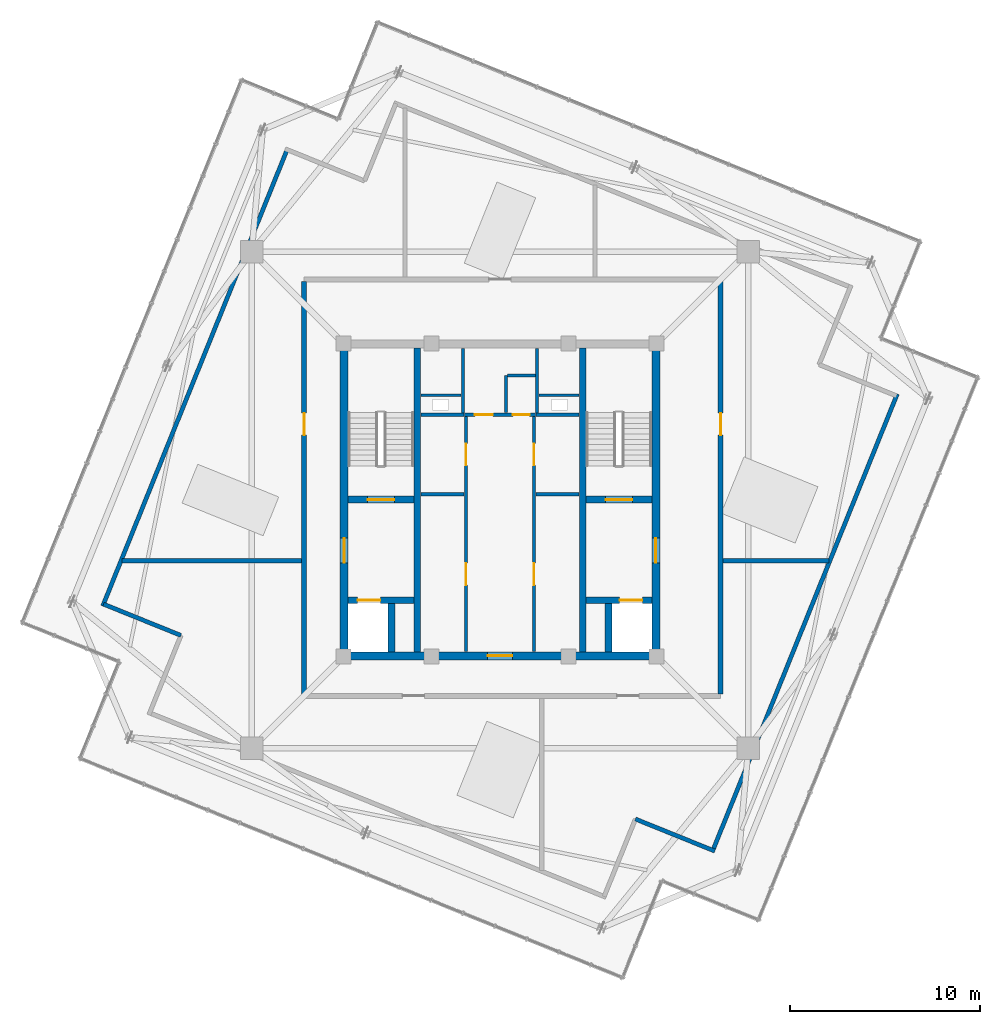
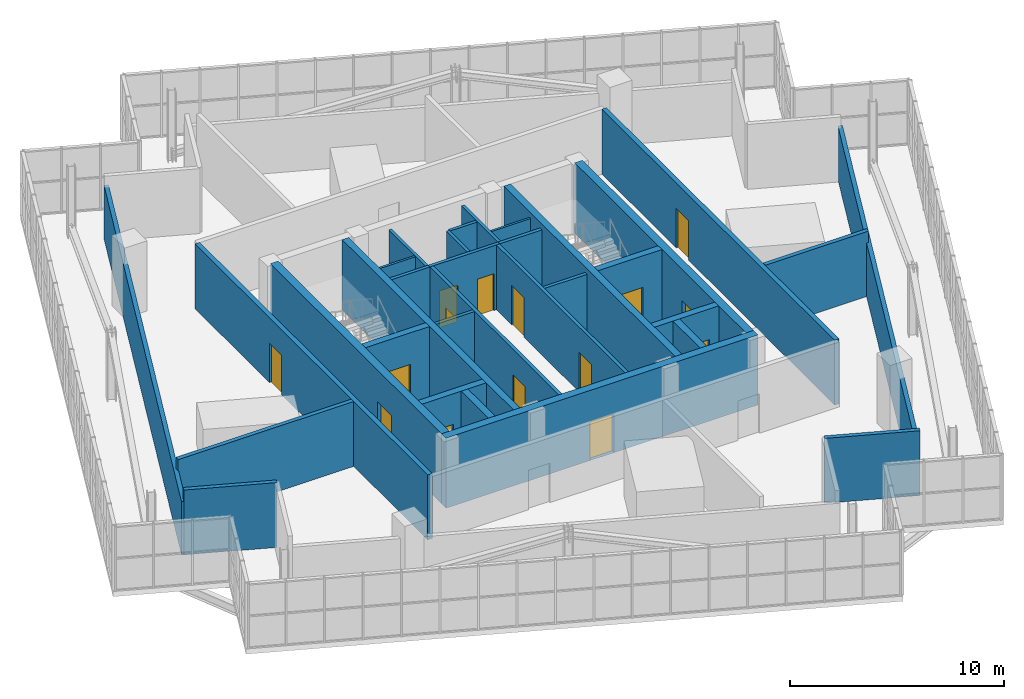
# One storey, part 23 of 26: 32 walls, 15 doors, 15 openings.
"""IFC4 building model written with IfcOpenShell, lengths in metres."""

from ifc_helpers import new_model, si_unit, direction, frame, frame_2d, origin, place, context, subcontext, project, spatial, rectangle, extrude, source, transform, mapped, material, layer, layer_set, type_object, element, fill, save


model = new_model("IFC4")

# Units and contexts
model_context = context("Model", 3, precision=1e-05, world=origin(), true_north=direction((0.0, 1.0)))
body_context = subcontext(model_context, "Body", "Model", "MODEL_VIEW")
ifc_project = project(units=[si_unit("LENGTHUNIT", "METRE"), si_unit("AREAUNIT", "SQUARE_METRE"), si_unit("VOLUMEUNIT", "CUBIC_METRE"), si_unit("PLANEANGLEUNIT", "RADIAN"), si_unit("MASSUNIT", "GRAM", prefix="KILO"), si_unit("THERMODYNAMICTEMPERATUREUNIT", "KELVIN")], contexts=[model_context])

# Site, building, storey
site_placement = place(None, origin())
site = spatial("IfcSite", under=ifc_project, at=site_placement, CompositionType="ELEMENT")
building_placement = place(site_placement, origin())
building = spatial("IfcBuilding", under=site, at=building_placement, Name="Kosmvard Interchange Tower", CompositionType="ELEMENT")
storey_placement = place(building_placement, frame((0.0, 0.0, 329.60009765625)))
storey = spatial("IfcBuildingStorey", under=building, at=storey_placement, Name="L81", CompositionType="ELEMENT", Elevation=329.60009765625)

# Walls
ifc_material_1 = material(Name="Fire-rated gypsum partition system")
ifc_layer_1 = layer(ifc_material_1, 0.159912109375, Name="Fire-rated gypsum partition system")
ifc_layer_set_1 = layer_set([ifc_layer_1], Name="Fire-rated gypsum partition system")
wall_type_1 = type_object("IfcWallType", Name="Core Compartment & Shuttle Lobby Partition 160", PredefinedType="PARTITIONING", material=ifc_layer_set_1)
for number, where, z_axis, x_axis, name in (
    (1, (-1.9599609375, 4.580078125, 0.0), (0.0, 0.0, 1.0), (0.0, 1.0, 0.0), "L81 North Core West Wall"),
    (2, (1.9599609375, 4.580078125, 0.0), (0.0, 0.0, 1.0), (0.0, 1.0, 0.0), "L81 North Core East Wall"),
):
    element("IfcWall", number, at=place(storey_placement, frame(where, z_axis=z_axis, x_axis=x_axis)), inside=storey, type_object=wall_type_1, Name=name, PredefinedType="PARTITIONING", context=body_context, shape_type="SweptSolid", body=[
        extrude(rectangle(XDim=3.39990234375, YDim=0.159912109375, at=frame_2d((1.699951171875, 0.0))), origin(), (0.0, 0.0, 1.0), 3.699951171875),
    ])
ifc_material_2 = material(Name="Concrete blockwork masonry", Category="masonry")
ifc_layer_2 = layer(ifc_material_2, 0.159912109375, Name="Concrete blockwork masonry")
ifc_layer_set_2 = layer_set([ifc_layer_2], Name="Concrete blockwork masonry")
wall_type_2 = type_object("IfcWallType", Name="Core Enclosure Split Wall 160", PredefinedType="PARTITIONING", material=ifc_layer_set_2)
wall_1_placement = place(storey_placement, frame((0.320068359375, 4.60009765625, 0.0), z_axis=(0.0, 0.0, 1.0), x_axis=(0.0, 1.0, 0.0)))
element("IfcWall", 3, at=wall_1_placement, inside=storey, type_object=wall_type_2, Name="L81 Core K3 L-Wall 1", PredefinedType="PARTITIONING", context=body_context, shape_type="SweptSolid", body=[
    extrude(rectangle(XDim=1.949951171875, YDim=0.159912109375, at=frame_2d((0.97509765625, 0.0))), origin(), (0.0, 0.0, 1.0), 3.699951171875),
])
wall_2_placement = place(storey_placement, frame((0.39990234375, 6.550048828125, 0.0), z_axis=(0.0, 0.0, 1.0), x_axis=(1.0, 0.0, 0.0)))
element("IfcWall", 4, at=wall_2_placement, inside=storey, type_object=wall_type_2, Name="L81 Core K3 L-Wall 2", PredefinedType="PARTITIONING", context=body_context, shape_type="SweptSolid", body=[
    extrude(rectangle(XDim=1.460205078125, YDim=0.159912109375, at=frame_2d((0.72998046875, 0.0))), origin(), (0.0, 0.0, 1.0), 3.699951171875),
])

# Wall, openings, doors
ifc_layer_3 = layer(ifc_material_1, 0.179931640625, Name="Fire-rated gypsum partition system")
ifc_layer_set_3 = layer_set([ifc_layer_3], Name="Fire-rated gypsum partition system")
wall_type_3 = type_object("IfcWallType", Name="Corridor & Hotel Compartment Partition 180", PredefinedType="PARTITIONING", material=ifc_layer_set_3)
wall_3_placement = place(storey_placement, frame((-1.7900390625, -7.97998046875, 0.0), z_axis=(0.0, 0.0, 1.0), x_axis=(0.0, 1.0, 0.0)))
wall_3 = element("IfcWall", 5, at=wall_3_placement, inside=storey, type_object=wall_type_3, Name="L81 West Lift Bank Front Wall", PredefinedType="PARTITIONING", context=body_context, shape_type="SweptSolid", body=[
    extrude(rectangle(XDim=12.3798828125, YDim=0.179931640625, at=frame_2d((6.18994140625, 0.0))), origin(), (0.0, 0.0, 1.0), 3.699951171875),
])
opening_1_placement = place(wall_3_placement, frame((3.5, 0.0, 0.0)))
opening_1 = element("IfcOpeningElement", 6, at=opening_1_placement, cuts=wall_3, Name="Opening L81-CD1", PredefinedType="OPENING", context=body_context, shape_type="SweptSolid", body=[
    extrude(rectangle(XDim=1.14990234375, YDim=2.25, at=frame_2d((0.574951171875, 1.125))), frame((0.0, 0.10009765625, 0.0), z_axis=(0.0, -1.0, 0.0), x_axis=(1.0, 0.0, 0.0)), (0.0, 0.0, 1.0), 0.199951171875),
])
opening_2_placement = place(wall_3_placement, frame((9.800048828125, 0.0, 0.0)))
opening_2 = element("IfcOpeningElement", 7, at=opening_2_placement, cuts=wall_3, Name="Opening L81-CD7", PredefinedType="OPENING", context=body_context, shape_type="SweptSolid", body=[
    extrude(rectangle(XDim=1.14990234375, YDim=2.25, at=frame_2d((0.574951171875, 1.125))), frame((0.0, 0.10009765625, 0.0), z_axis=(0.0, -1.0, 0.0), x_axis=(1.0, 0.0, 0.0)), (0.0, 0.0, 1.0), 0.199951171875),
])
ifc_material_3 = material(Name="Painted fire-rated steel leaf", Category="steel")
door_type_1 = type_object("IfcDoorType", Name="Plant & Riser Fire Door 1150x2250 EI60", OperationType="NOTDEFINED", PredefinedType="DOOR", material=ifc_material_3)
shared_shape_1 = source(origin(), body_context, "Body", "SweptSolid", [
    extrude(rectangle(XDim=1.14990234375, YDim=2.25, at=frame_2d((0.574951171875, 1.125))), frame((0.0, 0.02490234375, 0.0), z_axis=(0.0, -1.0, 0.0), x_axis=(1.0, 0.0, 0.0)), (0.0, 0.0, 1.0), 0.050048828125),
])
door_1_placement = place(opening_1_placement, origin())
door_1 = element("IfcDoor", 8, at=door_1_placement, inside=storey, type_object=door_type_1, Name="L81 Core Facility Store Door", OperationType="SINGLE_SWING_LEFT", OverallHeight=2.25, OverallWidth=1.14990234375, PredefinedType="DOOR", context=body_context, shape_type="MappedRepresentation", body=[
    mapped(shared_shape_1, transform((0.0, 0.0, 0.0), scale=1.0)),
])
fill(opening_1, door_1)
door_2_placement = place(opening_2_placement, origin())
door_2 = element("IfcDoor", 9, at=door_2_placement, inside=storey, type_object=door_type_1, Name="L81 Crown Core West Door", OperationType="SINGLE_SWING_LEFT", OverallHeight=2.25, OverallWidth=1.14990234375, PredefinedType="DOOR", context=body_context, shape_type="MappedRepresentation", body=[
    mapped(shared_shape_1, transform((0.0, 0.0, 0.0), scale=1.0)),
])
fill(opening_2, door_2)

wall_4_placement = place(storey_placement, frame((1.7900390625, -7.97998046875, 0.0), z_axis=(0.0, 0.0, 1.0), x_axis=(0.0, 1.0, 0.0)))
wall_4 = element("IfcWall", 10, at=wall_4_placement, inside=storey, type_object=wall_type_3, Name="L81 East Lift Bank Front Wall", PredefinedType="PARTITIONING", context=body_context, shape_type="SweptSolid", body=[
    extrude(rectangle(XDim=12.3798828125, YDim=0.179931640625, at=frame_2d((6.18994140625, 0.0))), origin(), (0.0, 0.0, 1.0), 3.699951171875),
])
opening_3_placement = place(wall_4_placement, frame((3.5, 0.0, 0.0)))
opening_3 = element("IfcOpeningElement", 11, at=opening_3_placement, cuts=wall_4, Name="Opening L81-CD2", PredefinedType="OPENING", context=body_context, shape_type="SweptSolid", body=[
    extrude(rectangle(XDim=1.14990234375, YDim=2.25, at=frame_2d((0.574951171875, 1.125))), frame((0.0, 0.10009765625, 0.0), z_axis=(0.0, -1.0, 0.0), x_axis=(1.0, 0.0, 0.0)), (0.0, 0.0, 1.0), 0.199951171875),
])
opening_4_placement = place(wall_4_placement, frame((9.800048828125, 0.0, 0.0)))
opening_4 = element("IfcOpeningElement", 12, at=opening_4_placement, cuts=wall_4, Name="Opening L81-CD8", PredefinedType="OPENING", context=body_context, shape_type="SweptSolid", body=[
    extrude(rectangle(XDim=1.14990234375, YDim=2.25, at=frame_2d((0.574951171875, 1.125))), frame((0.0, 0.10009765625, 0.0), z_axis=(0.0, -1.0, 0.0), x_axis=(1.0, 0.0, 0.0)), (0.0, 0.0, 1.0), 0.199951171875),
])
door_3_placement = place(opening_3_placement, frame((1.14990234375, 0.0, 0.0), z_axis=(0.0, 0.0, 1.0), x_axis=(-1.0, 0.0, 0.0)))
door_3 = element("IfcDoor", 13, at=door_3_placement, inside=storey, type_object=door_type_1, Name="L81 Core BMS UPS Door", OperationType="SINGLE_SWING_RIGHT", OverallHeight=2.25, OverallWidth=1.14990234375, PredefinedType="DOOR", context=body_context, shape_type="MappedRepresentation", body=[
    mapped(shared_shape_1, transform((0.0, 0.0, 0.0), scale=1.0)),
])
fill(opening_3, door_3)
door_4_placement = place(opening_4_placement, frame((1.14990234375, 0.0, 0.0), z_axis=(0.0, 0.0, 1.0), x_axis=(-1.0, 0.0, 0.0)))
door_4 = element("IfcDoor", 14, at=door_4_placement, inside=storey, type_object=door_type_1, Name="L81 Crown Core East Door", OperationType="SINGLE_SWING_RIGHT", OverallHeight=2.25, OverallWidth=1.14990234375, PredefinedType="DOOR", context=body_context, shape_type="MappedRepresentation", body=[
    mapped(shared_shape_1, transform((0.0, 0.0, 0.0), scale=1.0)),
])
fill(opening_4, door_4)

wall_5_placement = place(storey_placement, frame((-1.8798828125, 4.489990234375, 0.0), z_axis=(0.0, 0.0, 1.0), x_axis=(1.0, 0.0, 0.0)))
wall_5 = element("IfcWall", 15, at=wall_5_placement, inside=storey, type_object=wall_type_3, Name="L81 Lift Lobby North Partition", PredefinedType="PARTITIONING", context=body_context, shape_type="SweptSolid", body=[
    extrude(rectangle(XDim=3.759765625, YDim=0.179931640625, at=frame_2d((1.8798828125, 0.0))), origin(), (0.0, 0.0, 1.0), 3.699951171875),
])
opening_5_placement = place(wall_5_placement, frame((0.550048828125, 0.0, 0.0)))
opening_5 = element("IfcOpeningElement", 16, at=opening_5_placement, cuts=wall_5, Name="Opening L81-KD1", PredefinedType="OPENING", context=body_context, shape_type="SweptSolid", body=[
    extrude(rectangle(XDim=0.949951171875, YDim=2.10009765625, at=frame_2d((0.47509765625, 1.050048828125))), frame((0.0, 0.10009765625, 0.0), z_axis=(0.0, -1.0, 0.0), x_axis=(1.0, 0.0, 0.0)), (0.0, 0.0, 1.0), 0.199951171875),
])
opening_6_placement = place(wall_5_placement, frame((2.56005859375, 0.0, 0.0)))
opening_6 = element("IfcOpeningElement", 17, at=opening_6_placement, cuts=wall_5, Name="Opening L81-KD2", PredefinedType="OPENING", context=body_context, shape_type="SweptSolid", body=[
    extrude(rectangle(XDim=0.8798828125, YDim=2.10009765625, at=frame_2d((0.43994140625, 1.050048828125))), frame((0.0, 0.10009765625, 0.0), z_axis=(0.0, -1.0, 0.0), x_axis=(1.0, 0.0, 0.0)), (0.0, 0.0, 1.0), 0.199951171875),
])
ifc_material_4 = material(Name="Painted fire-rated timber leaf", Category="wood")
door_type_2 = type_object("IfcDoorType", Name="Core Service Fire Door 950x2100 EI30", OperationType="NOTDEFINED", PredefinedType="DOOR", material=ifc_material_4)
shared_shape_2 = source(origin(), body_context, "Body", "SweptSolid", [
    extrude(rectangle(XDim=0.949951171875, YDim=2.10009765625, at=frame_2d((0.47509765625, 1.050048828125))), frame((0.0, 0.02490234375, 0.0), z_axis=(0.0, -1.0, 0.0), x_axis=(1.0, 0.0, 0.0)), (0.0, 0.0, 1.0), 0.050048828125),
])
door_5_placement = place(opening_5_placement, origin())
door_5 = element("IfcDoor", 18, at=door_5_placement, inside=storey, type_object=door_type_2, Name="L81 Core Archive Store Door", OperationType="SINGLE_SWING_LEFT", OverallHeight=2.10009765625, OverallWidth=0.949951171875, PredefinedType="DOOR", context=body_context, shape_type="MappedRepresentation", body=[
    mapped(shared_shape_2, transform((0.0, 0.0, 0.0), scale=1.0)),
])
fill(opening_5, door_5)
door_type_3 = type_object("IfcDoorType", Name="Core Cupboard Fire Door 880x2100 EI30", OperationType="NOTDEFINED", PredefinedType="DOOR", material=ifc_material_4)
shared_shape_3 = source(origin(), body_context, "Body", "SweptSolid", [
    extrude(rectangle(XDim=0.8798828125, YDim=2.10009765625, at=frame_2d((0.43994140625, 1.050048828125))), frame((0.0, 0.02490234375, 0.0), z_axis=(0.0, -1.0, 0.0), x_axis=(1.0, 0.0, 0.0)), (0.0, 0.0, 1.0), 0.050048828125),
])
door_6_placement = place(opening_6_placement, origin())
door_6 = element("IfcDoor", 19, at=door_6_placement, inside=storey, type_object=door_type_3, Name="L81 Core Supplies Cupboard Door", OperationType="SINGLE_SWING_RIGHT", OverallHeight=2.10009765625, OverallWidth=0.8798828125, PredefinedType="DOOR", context=body_context, shape_type="MappedRepresentation", body=[
    mapped(shared_shape_3, transform((0.0, 0.0, 0.0), scale=1.0)),
])
fill(opening_6, door_6)

# Wall, opening, door
ifc_material_5 = material(Name="Concrete C50/60", Category="concrete")
ifc_layer_4 = layer(ifc_material_5, 0.419921875, Name="Concrete C50/60")
ifc_layer_set_4 = layer_set([ifc_layer_4], Name="Concrete C50/60")
wall_type_4 = type_object("IfcWallType", Name="Crown Core Shear Wall 420 C50/60", PredefinedType="SHEAR", material=ifc_layer_set_4)
wall_6_placement = place(storey_placement, frame((-8.419921875, -8.2099609375, 0.0), z_axis=(0.0, 0.0, 1.0), x_axis=(1.0, 0.0, 0.0)))
wall_6 = element("IfcWall", 20, at=wall_6_placement, inside=storey, type_object=wall_type_4, Name="L81 Core Shear Wall CW-S", PredefinedType="SHEAR", context=body_context, shape_type="SweptSolid", body=[
    extrude(rectangle(XDim=16.83984375, YDim=0.419921875, at=frame_2d((8.419921875, 0.0))), origin(), (0.0, 0.0, 1.0), 4.0),
])
opening_7_placement = place(wall_6_placement, frame((7.77001953125, 0.0, 0.0)))
opening_7 = element("IfcOpeningElement", 21, at=opening_7_placement, cuts=wall_6, Name="Opening L81-LD0", PredefinedType="OPENING", context=body_context, shape_type="SweptSolid", body=[
    extrude(rectangle(XDim=1.300048828125, YDim=2.199951171875, at=frame_2d((0.64990234375, 1.10009765625))), frame((0.0, 0.219970703125, 0.0), z_axis=(0.0, -1.0, 0.0), x_axis=(1.0, 0.0, 0.0)), (0.0, 0.0, 1.0), 0.43994140625),
])
door_type_4 = type_object("IfcDoorType", Name="Firefighting Lobby Door 1300x2200 EI60", OperationType="NOTDEFINED", PredefinedType="DOOR", material=ifc_material_3)
shared_shape_4 = source(origin(), body_context, "Body", "SweptSolid", [
    extrude(rectangle(XDim=1.300048828125, YDim=2.199951171875, at=frame_2d((0.64990234375, 1.10009765625))), frame((0.0, 0.02490234375, 0.0), z_axis=(0.0, -1.0, 0.0), x_axis=(1.0, 0.0, 0.0)), (0.0, 0.0, 1.0), 0.050048828125),
])
door_7_placement = place(opening_7_placement, frame((1.300048828125, 0.0, 0.0), z_axis=(0.0, 0.0, 1.0), x_axis=(-1.0, 0.0, 0.0)))
door_7 = element("IfcDoor", 22, at=door_7_placement, inside=storey, type_object=door_type_4, Name="L81 Passenger Lift Lobby South Door", OperationType="SINGLE_SWING_RIGHT", OverallHeight=2.199951171875, OverallWidth=1.300048828125, PredefinedType="DOOR", context=body_context, shape_type="MappedRepresentation", body=[
    mapped(shared_shape_4, transform((0.0, 0.0, 0.0), scale=1.0)),
])
fill(opening_7, door_7)

wall_7_placement = place(storey_placement, frame((-8.2099609375, -8.0, 0.0), z_axis=(0.0, 0.0, 1.0), x_axis=(0.0, 1.0, 0.0)))
wall_7 = element("IfcWall", 23, at=wall_7_placement, inside=storey, type_object=wall_type_4, Name="L81 Core Shear Wall CW-W", PredefinedType="SHEAR", context=body_context, shape_type="SweptSolid", body=[
    extrude(rectangle(XDim=16.0, YDim=0.419921875, at=frame_2d((8.0, 0.0))), origin(), (0.0, 0.0, 1.0), 4.0),
])
opening_8_placement = place(wall_7_placement, frame((4.68994140625, 0.0, 0.0)))
opening_8 = element("IfcOpeningElement", 24, at=opening_8_placement, cuts=wall_7, Name="Opening L81-FD1", PredefinedType="OPENING", context=body_context, shape_type="SweptSolid", body=[
    extrude(rectangle(XDim=1.300048828125, YDim=2.199951171875, at=frame_2d((0.64990234375, 1.10009765625))), frame((0.0, 0.219970703125, 0.0), z_axis=(0.0, -1.0, 0.0), x_axis=(1.0, 0.0, 0.0)), (0.0, 0.0, 1.0), 0.43994140625),
])
door_8_placement = place(opening_8_placement, frame((1.300048828125, 0.0, 0.0), z_axis=(0.0, 0.0, 1.0), x_axis=(-1.0, 0.0, 0.0)))
door_8 = element("IfcDoor", 25, at=door_8_placement, inside=storey, type_object=door_type_4, Name="L81 Firefighting Lobby West Door", OperationType="SINGLE_SWING_LEFT", OverallHeight=2.199951171875, OverallWidth=1.300048828125, PredefinedType="DOOR", context=body_context, shape_type="MappedRepresentation", body=[
    mapped(shared_shape_4, transform((0.0, 0.0, 0.0), scale=1.0)),
])
fill(opening_8, door_8)

wall_8_placement = place(storey_placement, frame((8.2099609375, -8.0, 0.0), z_axis=(0.0, 0.0, 1.0), x_axis=(0.0, 1.0, 0.0)))
wall_8 = element("IfcWall", 26, at=wall_8_placement, inside=storey, type_object=wall_type_4, Name="L81 Core Shear Wall CW-E", PredefinedType="SHEAR", context=body_context, shape_type="SweptSolid", body=[
    extrude(rectangle(XDim=16.0, YDim=0.419921875, at=frame_2d((8.0, 0.0))), origin(), (0.0, 0.0, 1.0), 4.0),
])
opening_9_placement = place(wall_8_placement, frame((4.68994140625, 0.0, 0.0)))
opening_9 = element("IfcOpeningElement", 27, at=opening_9_placement, cuts=wall_8, Name="Opening L81-FD2", PredefinedType="OPENING", context=body_context, shape_type="SweptSolid", body=[
    extrude(rectangle(XDim=1.300048828125, YDim=2.199951171875, at=frame_2d((0.64990234375, 1.10009765625))), frame((0.0, 0.219970703125, 0.0), z_axis=(0.0, -1.0, 0.0), x_axis=(1.0, 0.0, 0.0)), (0.0, 0.0, 1.0), 0.43994140625),
])
door_9_placement = place(opening_9_placement, origin())
door_9 = element("IfcDoor", 28, at=door_9_placement, inside=storey, type_object=door_type_4, Name="L81 Firefighting Lobby East Door", OperationType="SINGLE_SWING_RIGHT", OverallHeight=2.199951171875, OverallWidth=1.300048828125, PredefinedType="DOOR", context=body_context, shape_type="MappedRepresentation", body=[
    mapped(shared_shape_4, transform((0.0, 0.0, 0.0), scale=1.0)),
])
fill(opening_9, door_9)

ifc_layer_5 = layer(ifc_material_2, 0.25, Name="Concrete blockwork masonry")
ifc_layer_set_5 = layer_set([ifc_layer_5], Name="Concrete blockwork masonry")
wall_type_5 = type_object("IfcWallType", Name="Exit Passage & Firefighting Lobby Wall 250", PredefinedType="PARTITIONING", material=ifc_layer_set_5)
wall_9_placement = place(storey_placement, frame((-10.320068359375, -10.219970703125, 0.0), z_axis=(0.0, 0.0, 1.0), x_axis=(0.0, 1.0, 0.0)))
wall_9 = element("IfcWall", 29, at=wall_9_placement, inside=storey, type_object=wall_type_5, Name="L81 Corridor Wall CW", PredefinedType="PARTITIONING", context=body_context, shape_type="SweptSolid", body=[
    extrude(rectangle(XDim=21.739990234375, YDim=0.25, at=frame_2d((10.8701171875, 0.0))), origin(), (0.0, 0.0, 1.0), 3.699951171875),
])
opening_10_placement = place(wall_9_placement, frame((13.640625, 0.0, 0.0)))
opening_10 = element("IfcOpeningElement", 30, at=opening_10_placement, cuts=wall_9, Name="Opening L81-D05", PredefinedType="OPENING", context=body_context, shape_type="SweptSolid", body=[
    extrude(rectangle(XDim=1.14990234375, YDim=2.25, at=frame_2d((0.574951171875, 1.125))), frame((0.0, 0.135009765625, 0.0), z_axis=(0.0, -1.0, 0.0), x_axis=(1.0, 0.0, 0.0)), (0.0, 0.0, 1.0), 0.27001953125),
])
door_10_placement = place(opening_10_placement, origin())
door_10 = element("IfcDoor", 31, at=door_10_placement, inside=storey, type_object=door_type_1, Name="L81 Heat Recovery Ventilation Plant Room Door", OperationType="SINGLE_SWING_LEFT", OverallHeight=2.25, OverallWidth=1.14990234375, PredefinedType="DOOR", context=body_context, shape_type="MappedRepresentation", body=[
    mapped(shared_shape_1, transform((0.0, 0.0, 0.0), scale=1.0)),
])
fill(opening_10, door_10)

wall_10_placement = place(storey_placement, frame((11.6201171875, -10.219970703125, 0.0), z_axis=(0.0, 0.0, 1.0), x_axis=(0.0, 1.0, 0.0)))
wall_10 = element("IfcWall", 32, at=wall_10_placement, inside=storey, type_object=wall_type_5, Name="L81 Corridor Wall CE", PredefinedType="PARTITIONING", context=body_context, shape_type="SweptSolid", body=[
    extrude(rectangle(XDim=21.739990234375, YDim=0.25, at=frame_2d((10.8701171875, 0.0))), origin(), (0.0, 0.0, 1.0), 3.699951171875),
])
opening_11_placement = place(wall_10_placement, frame((13.640625, 0.0, 0.0)))
opening_11 = element("IfcOpeningElement", 33, at=opening_11_placement, cuts=wall_10, Name="Opening L81-D02", PredefinedType="OPENING", context=body_context, shape_type="SweptSolid", body=[
    extrude(rectangle(XDim=1.14990234375, YDim=2.25, at=frame_2d((0.574951171875, 1.125))), frame((0.0, 0.135009765625, 0.0), z_axis=(0.0, -1.0, 0.0), x_axis=(1.0, 0.0, 0.0)), (0.0, 0.0, 1.0), 0.27001953125),
])
door_11_placement = place(opening_11_placement, frame((1.14990234375, 0.0, 0.0), z_axis=(0.0, 0.0, 1.0), x_axis=(-1.0, 0.0, 0.0)))
door_11 = element("IfcDoor", 34, at=door_11_placement, inside=storey, type_object=door_type_1, Name="L81 East Cooling Tower Plant Room Door", OperationType="SINGLE_SWING_RIGHT", OverallHeight=2.25, OverallWidth=1.14990234375, PredefinedType="DOOR", context=body_context, shape_type="MappedRepresentation", body=[
    mapped(shared_shape_1, transform((0.0, 0.0, 0.0), scale=1.0)),
])
fill(opening_11, door_11)

# Walls
ifc_layer_6 = layer(ifc_material_2, 0.179931640625, Name="Concrete blockwork masonry")
ifc_layer_set_6 = layer_set([ifc_layer_6], Name="Concrete blockwork masonry")
wall_type_6 = type_object("IfcWallType", Name="Riser & Lift Bank Divider Wall 180", PredefinedType="PARTITIONING", material=ifc_layer_set_6)
for number, where, z_axis, x_axis, name in (
    (35, (-4.169921875, 0.300048828125, 0.0), (0.0, 0.0, 1.0), (1.0, 0.0, 0.0), "L81 West Bank Divider BD2"),
    (36, (1.889892578125, 0.300048828125, 0.0), (0.0, 0.0, 1.0), (1.0, 0.0, 0.0), "L81 East Bank Divider BD2"),
    (37, (-4.169921875, 4.489990234375, 0.0), (0.0, 0.0, 1.0), (1.0, 0.0, 0.0), "L81 West Bank Divider BD3"),
    (38, (1.889892578125, 4.489990234375, 0.0), (0.0, 0.0, 1.0), (1.0, 0.0, 0.0), "L81 East Bank Divider BD3"),
):
    element("IfcWall", number, at=place(storey_placement, frame(where, z_axis=z_axis, x_axis=x_axis)), inside=storey, type_object=wall_type_6, Name=name, PredefinedType="PARTITIONING", context=body_context, shape_type="SweptSolid", body=[
        extrude(rectangle(XDim=2.280029296875, YDim=0.179931640625, at=frame_2d((1.14013671875, 0.0))), origin(), (0.0, 0.0, 1.0), 3.699951171875),
    ])
ifc_layer_7 = layer(ifc_material_2, 0.219970703125, Name="Concrete blockwork masonry")
ifc_layer_set_7 = layer_set([ifc_layer_7], Name="Concrete blockwork masonry")
wall_type_7 = type_object("IfcWallType", Name="Riser & Plant Enclosure Wall 220", PredefinedType="PARTITIONING", material=ifc_layer_set_7)
for number, where, z_axis, x_axis, name in (
    (39, (11.172119140625, -18.556396484375, 0.0), (0.0, 0.0, 1.0), (0.374611707018, 0.927181788521, 0.0), "L81 Crown Plant Enclosure Wall S"),
    (40, (-11.172119140625, 18.556396484375, 0.0), (0.0, 0.0, 1.0), (-0.374611707018, -0.927181788521, 0.0), "L81 Crown Plant Enclosure Wall N"),
):
    element("IfcWall", number, at=place(storey_placement, frame(where, z_axis=z_axis, x_axis=x_axis)), inside=storey, type_object=wall_type_7, Name=name, PredefinedType="PARTITIONING", context=body_context, shape_type="SweptSolid", body=[
        extrude(rectangle(XDim=26.0400390625, YDim=0.219970703125, at=frame_2d((13.02001953125, 0.0))), origin(), (0.0, 0.0, 1.0), 3.0498046875),
    ])
wall_11_placement = place(storey_placement, frame((-20.8857421875, -5.485595703125, 0.0), z_axis=(0.0, 0.0, 1.0), x_axis=(0.927189216671, -0.374593321469, 0.0)))
element("IfcWall", 41, at=wall_11_placement, inside=storey, type_object=wall_type_7, Name="L81 Crown Plant Enclosure Wall NW1", PredefinedType="PARTITIONING", context=body_context, shape_type="SweptSolid", body=[
    extrude(rectangle(XDim=4.39990234375, YDim=0.219970703125, at=frame_2d((2.199951171875, 0.0))), origin(), (0.0, 0.0, 1.0), 3.699951171875),
])
wall_12_placement = place(storey_placement, frame((7.1337890625, -16.80615234375, 0.0), z_axis=(0.0, 0.0, 1.0), x_axis=(0.927186885331, -0.374599091925, 0.0)))
element("IfcWall", 42, at=wall_12_placement, inside=storey, type_object=wall_type_7, Name="L81 Crown Plant Enclosure Wall SW2", PredefinedType="PARTITIONING", context=body_context, shape_type="SweptSolid", body=[
    extrude(rectangle(XDim=4.510009765625, YDim=0.219970703125, at=frame_2d((2.2548828125, 0.0))), origin(), (0.0, 0.0, 1.0), 3.699951171875),
])
wall_13_placement = place(storey_placement, frame((11.75, -3.199951171875, 0.0), z_axis=(0.0, 0.0, 1.0), x_axis=(1.0, 0.0, 0.0)))
element("IfcWall", 43, at=wall_13_placement, inside=storey, type_object=wall_type_7, Name="L81 Room Partition 03.1", PredefinedType="PARTITIONING", context=body_context, shape_type="SweptSolid", body=[
    extrude(rectangle(XDim=5.578125, YDim=0.219970703125, at=frame_2d((2.7890625, 0.0))), origin(), (0.0, 0.0, 1.0), 3.699951171875),
])
wall_14_placement = place(storey_placement, frame((-10.449951171875, -3.199951171875, 0.0), z_axis=(0.0, 0.0, 1.0), x_axis=(-1.0, 0.0, 0.0)))
element("IfcWall", 44, at=wall_14_placement, inside=storey, type_object=wall_type_7, Name="L81 Room Partition 05.1", PredefinedType="PARTITIONING", context=body_context, shape_type="SweptSolid", body=[
    extrude(rectangle(XDim=9.4638671875, YDim=0.219970703125, at=frame_2d((4.73193359375, 0.0))), origin(), (0.0, 0.0, 1.0), 3.699951171875),
])
ifc_material_6 = material(Name="Fire-rated gypsum shaftwall system")
ifc_layer_8 = layer(ifc_material_6, 0.1201171875, Name="Fire-rated gypsum shaftwall system")
ifc_layer_set_8 = layer_set([ifc_layer_8], Name="Fire-rated gypsum shaftwall system")
wall_type_8 = type_object("IfcWallType", Name="Shaft & Riser Fire Partition 120 EI60", PredefinedType="PARTITIONING", material=ifc_layer_set_8)
for number, where, z_axis, x_axis, name in (
    (45, (-4.159912109375, 5.52001953125, 0.0), (0.0, 0.0, 1.0), (1.0, 0.0, 0.0), "L81 Riser Shaft Divider W"),
    (46, (2.06005859375, 5.52001953125, 0.0), (0.0, 0.0, 1.0), (1.0, 0.0, 0.0), "L81 Riser Shaft Divider E"),
):
    element("IfcWall", number, at=place(storey_placement, frame(where, z_axis=z_axis, x_axis=x_axis)), inside=storey, type_object=wall_type_8, Name=name, PredefinedType="PARTITIONING", context=body_context, shape_type="SweptSolid", body=[
        extrude(rectangle(XDim=2.099853515625, YDim=0.1201171875, at=frame_2d((1.0498046875, 0.0))), origin(), (0.0, 0.0, 1.0), 3.699951171875),
    ])
ifc_material_7 = material(Name="Concrete C60/75", Category="concrete")
ifc_layer_9 = layer(ifc_material_7, 0.360107421875, Name="Concrete C60/75")
ifc_layer_set_9 = layer_set([ifc_layer_9], Name="Concrete C60/75")
wall_type_9 = type_object("IfcWallType", Name="Stair & Lift Shaft Shear Wall 360 C60/75", PredefinedType="SHEAR", material=ifc_layer_set_9)
for number, where, z_axis, x_axis, name in (
    (47, (-4.360107421875, -8.0, 0.0), (0.0, 0.0, 1.0), (0.0, 1.0, 0.0), "L81 Shaft Shear Wall SW-W"),
    (48, (4.360107421875, -8.0, 0.0), (0.0, 0.0, 1.0), (0.0, 1.0, 0.0), "L81 Shaft Shear Wall SW-E"),
):
    element("IfcWall", number, at=place(storey_placement, frame(where, z_axis=z_axis, x_axis=x_axis)), inside=storey, type_object=wall_type_9, Name=name, PredefinedType="SHEAR", context=body_context, shape_type="SweptSolid", body=[
        extrude(rectangle(XDim=16.0, YDim=0.360107421875, at=frame_2d((8.0, 0.0))), origin(), (0.0, 0.0, 1.0), 4.0),
    ])

# Wall, opening, door
wall_15_placement = place(storey_placement, frame((-8.0, 0.02001953125, 0.0), z_axis=(0.0, 0.0, 1.0), x_axis=(1.0, 0.0, 0.0)))
wall_15 = element("IfcWall", 49, at=wall_15_placement, inside=storey, type_object=wall_type_9, Name="L81 Shaft Shear Wall SW-ST1", PredefinedType="SHEAR", context=body_context, shape_type="SweptSolid", body=[
    extrude(rectangle(XDim=3.4599609375, YDim=0.360107421875, at=frame_2d((1.72998046875, 0.0))), origin(), (0.0, 0.0, 1.0), 4.0),
])
opening_12_placement = place(wall_15_placement, frame((1.030029296875, 0.0, 0.0)))
opening_12 = element("IfcOpeningElement", 50, at=opening_12_placement, cuts=wall_15, Name="Opening L81-SD1", PredefinedType="OPENING", context=body_context, shape_type="SweptSolid", body=[
    extrude(rectangle(XDim=1.39990234375, YDim=2.199951171875, at=frame_2d((0.699951171875, 1.10009765625))), frame((0.0, 0.18994140625, 0.0), z_axis=(0.0, -1.0, 0.0), x_axis=(1.0, 0.0, 0.0)), (0.0, 0.0, 1.0), 0.380126953125),
])
door_type_5 = type_object("IfcDoorType", Name="Protected Stair Door 1400x2200 FD60S", OperationType="NOTDEFINED", PredefinedType="DOOR", material=ifc_material_3)
shared_shape_5 = source(origin(), body_context, "Body", "SweptSolid", [
    extrude(rectangle(XDim=1.39990234375, YDim=2.199951171875, at=frame_2d((0.699951171875, 1.10009765625))), frame((0.0, 0.02490234375, 0.0), z_axis=(0.0, -1.0, 0.0), x_axis=(1.0, 0.0, 0.0)), (0.0, 0.0, 1.0), 0.050048828125),
])
door_12_placement = place(opening_12_placement, origin())
door_12 = element("IfcDoor", 51, at=door_12_placement, inside=storey, type_object=door_type_5, Name="L81 Stair ST-1 Enclosure Door", OperationType="SINGLE_SWING_LEFT", OverallHeight=2.199951171875, OverallWidth=1.39990234375, PredefinedType="DOOR", context=body_context, shape_type="MappedRepresentation", body=[
    mapped(shared_shape_5, transform((0.0, 0.0, 0.0), scale=1.0)),
])
fill(opening_12, door_12)

wall_16_placement = place(storey_placement, frame((4.5400390625, 0.02001953125, 0.0), z_axis=(0.0, 0.0, 1.0), x_axis=(1.0, 0.0, 0.0)))
wall_16 = element("IfcWall", 52, at=wall_16_placement, inside=storey, type_object=wall_type_9, Name="L81 Shaft Shear Wall SW-ST2", PredefinedType="SHEAR", context=body_context, shape_type="SweptSolid", body=[
    extrude(rectangle(XDim=3.4599609375, YDim=0.360107421875, at=frame_2d((1.72998046875, 0.0))), origin(), (0.0, 0.0, 1.0), 4.0),
])
opening_13_placement = place(wall_16_placement, frame((1.030029296875, 0.0, 0.0)))
opening_13 = element("IfcOpeningElement", 53, at=opening_13_placement, cuts=wall_16, Name="Opening L81-SD2", PredefinedType="OPENING", context=body_context, shape_type="SweptSolid", body=[
    extrude(rectangle(XDim=1.39990234375, YDim=2.199951171875, at=frame_2d((0.699951171875, 1.10009765625))), frame((0.0, 0.18994140625, 0.0), z_axis=(0.0, -1.0, 0.0), x_axis=(1.0, 0.0, 0.0)), (0.0, 0.0, 1.0), 0.380126953125),
])
door_13_placement = place(opening_13_placement, origin())
door_13 = element("IfcDoor", 54, at=door_13_placement, inside=storey, type_object=door_type_5, Name="L81 Stair ST-2 Enclosure Door", OperationType="SINGLE_SWING_RIGHT", OverallHeight=2.199951171875, OverallWidth=1.39990234375, PredefinedType="DOOR", context=body_context, shape_type="MappedRepresentation", body=[
    mapped(shared_shape_5, transform((0.0, 0.0, 0.0), scale=1.0)),
])
fill(opening_13, door_13)

wall_17_placement = place(storey_placement, frame((-8.0, -5.280029296875, 0.0), z_axis=(0.0, 0.0, 1.0), x_axis=(1.0, 0.0, 0.0)))
wall_17 = element("IfcWall", 55, at=wall_17_placement, inside=storey, type_object=wall_type_9, Name="L81 Shaft Shear Wall SW-FF1", PredefinedType="SHEAR", context=body_context, shape_type="SweptSolid", body=[
    extrude(rectangle(XDim=3.4599609375, YDim=0.360107421875, at=frame_2d((1.72998046875, 0.0))), origin(), (0.0, 0.0, 1.0), 4.0),
])
opening_14_placement = place(wall_17_placement, frame((0.5, 0.0, 0.0)))
opening_14 = element("IfcOpeningElement", 56, at=opening_14_placement, cuts=wall_17, Name="Opening LD-FF-1-L81", PredefinedType="OPENING", context=body_context, shape_type="SweptSolid", body=[
    extrude(rectangle(XDim=1.199951171875, YDim=2.25, at=frame_2d((0.60009765625, 1.125))), frame((0.0, 0.18994140625, 0.0), z_axis=(0.0, -1.0, 0.0), x_axis=(1.0, 0.0, 0.0)), (0.0, 0.0, 1.0), 0.380126953125),
])
ifc_material_8 = material(Name="Brushed stainless steel sliding leaf", Category="steel")
door_type_6 = type_object("IfcDoorType", Name="Firefighting Lift Sliding Landing Door 1200x2250 EI120", OperationType="DOUBLE_DOOR_SLIDING", PredefinedType="DOOR", material=ifc_material_8)
shared_shape_6 = source(origin(), body_context, "Body", "SweptSolid", [
    extrude(rectangle(XDim=1.199951171875, YDim=2.25, at=frame_2d((0.60009765625, 1.125))), frame((0.0, 0.02490234375, 0.0), z_axis=(0.0, -1.0, 0.0), x_axis=(1.0, 0.0, 0.0)), (0.0, 0.0, 1.0), 0.050048828125),
])
door_14_placement = place(opening_14_placement, origin())
door_14 = element("IfcDoor", 57, at=door_14_placement, inside=storey, type_object=door_type_6, Name="Lift FF-1 Landing Door L81", OperationType="DOUBLE_DOOR_SLIDING", OverallHeight=2.25, OverallWidth=1.199951171875, PredefinedType="DOOR", context=body_context, shape_type="MappedRepresentation", body=[
    mapped(shared_shape_6, transform((0.0, 0.0, 0.0), scale=1.0)),
])
fill(opening_14, door_14)

wall_18_placement = place(storey_placement, frame((4.5400390625, -5.280029296875, 0.0), z_axis=(0.0, 0.0, 1.0), x_axis=(1.0, 0.0, 0.0)))
wall_18 = element("IfcWall", 58, at=wall_18_placement, inside=storey, type_object=wall_type_9, Name="L81 Shaft Shear Wall SW-FF2", PredefinedType="SHEAR", context=body_context, shape_type="SweptSolid", body=[
    extrude(rectangle(XDim=3.4599609375, YDim=0.360107421875, at=frame_2d((1.72998046875, 0.0))), origin(), (0.0, 0.0, 1.0), 4.0),
])
opening_15_placement = place(wall_18_placement, frame((1.760009765625, 0.0, 0.0)))
opening_15 = element("IfcOpeningElement", 59, at=opening_15_placement, cuts=wall_18, Name="Opening LD-FF-2-L81", PredefinedType="OPENING", context=body_context, shape_type="SweptSolid", body=[
    extrude(rectangle(XDim=1.199951171875, YDim=2.25, at=frame_2d((0.60009765625, 1.125))), frame((0.0, 0.18994140625, 0.0), z_axis=(0.0, -1.0, 0.0), x_axis=(1.0, 0.0, 0.0)), (0.0, 0.0, 1.0), 0.380126953125),
])
door_15_placement = place(opening_15_placement, origin())
door_15 = element("IfcDoor", 60, at=door_15_placement, inside=storey, type_object=door_type_6, Name="Lift FF-2 Landing Door L81", OperationType="DOUBLE_DOOR_SLIDING", OverallHeight=2.25, OverallWidth=1.199951171875, PredefinedType="DOOR", context=body_context, shape_type="MappedRepresentation", body=[
    mapped(shared_shape_6, transform((0.0, 0.0, 0.0), scale=1.0)),
])
fill(opening_15, door_15)

# Walls
for number, where, z_axis, x_axis, name in (
    (61, (-5.7099609375, -8.0, 0.0), (0.0, 0.0, 1.0), (0.0, 1.0, 0.0), "L81 Shaft Shear Wall SW-SM1"),
    (62, (5.7099609375, -8.0, 0.0), (0.0, 0.0, 1.0), (0.0, 1.0, 0.0), "L81 Shaft Shear Wall SW-SM2"),
):
    element("IfcWall", number, at=place(storey_placement, frame(where, z_axis=z_axis, x_axis=x_axis)), inside=storey, type_object=wall_type_9, Name=name, PredefinedType="SHEAR", context=body_context, shape_type="SweptSolid", body=[
        extrude(rectangle(XDim=2.5400390625, YDim=0.360107421875, at=frame_2d((1.27001953125, 0.0))), origin(), (0.0, 0.0, 1.0), 4.0),
    ])

save(model, "model.ifc")
